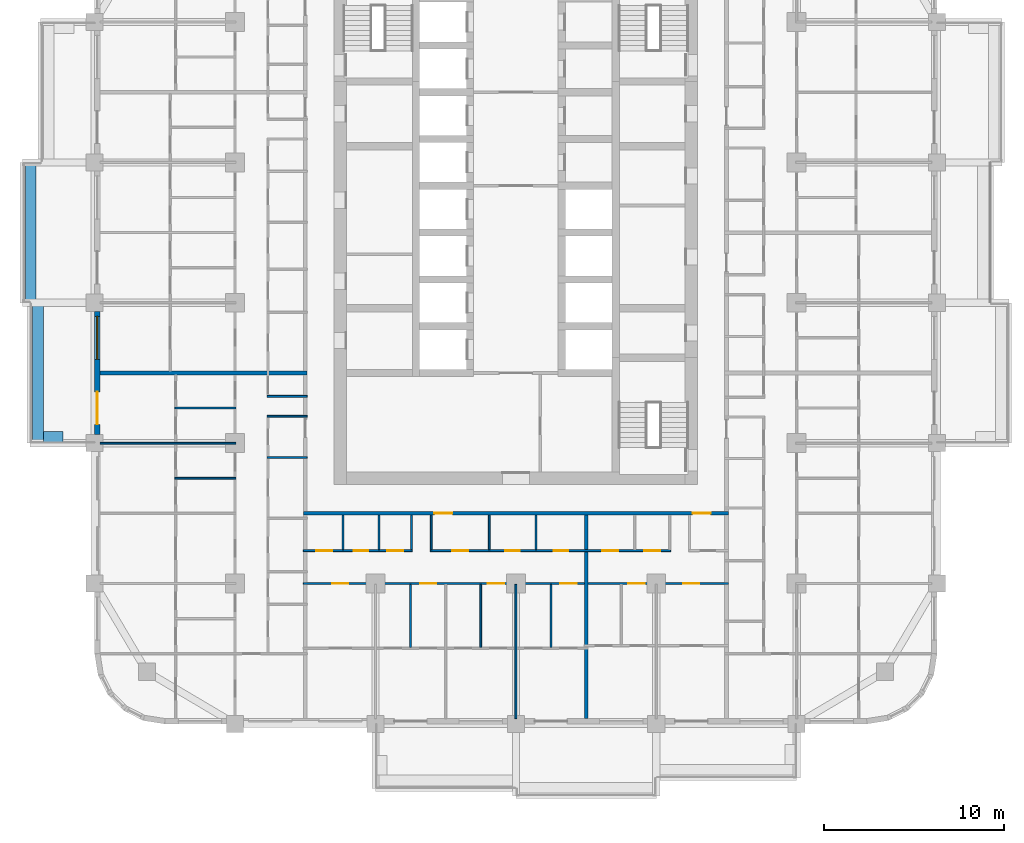
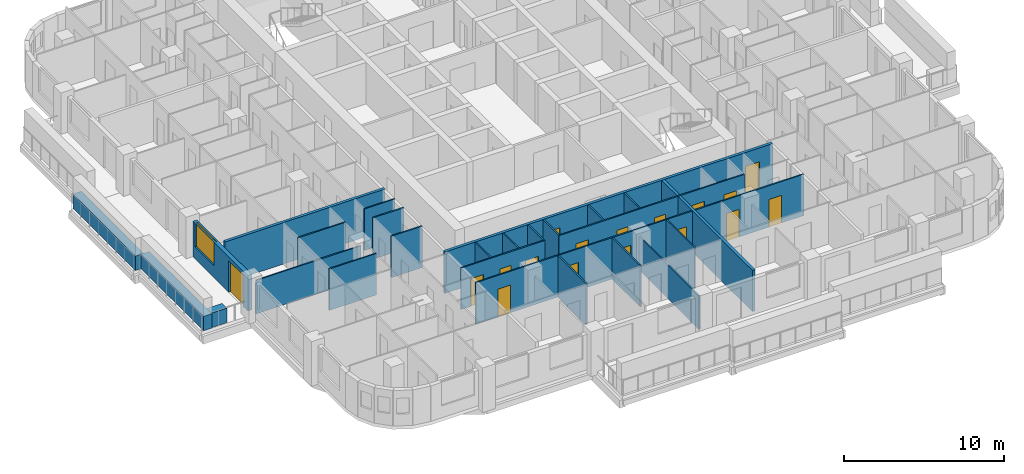
# One storey, part 4 of 17: 26 walls, 17 doors, 1 window, 18 openings.
"""IFC4 building model written with IfcOpenShell, lengths in metres."""

from ifc_helpers import new_model, si_unit, direction, frame, frame_2d, origin, place, context, subcontext, project, spatial, rectangle, extrude, material, layer, layer_set, type_object, element, fill, save


model = new_model("IFC4")

# Units and contexts
model_context = context("Model", 3, precision=1e-05, world=origin(), true_north=direction((0.0, 1.0)))
body_context = subcontext(model_context, "Body", "Model", "MODEL_VIEW")
ifc_project = project(units=[si_unit("LENGTHUNIT", "METRE"), si_unit("AREAUNIT", "SQUARE_METRE"), si_unit("VOLUMEUNIT", "CUBIC_METRE"), si_unit("PLANEANGLEUNIT", "RADIAN"), si_unit("MASSUNIT", "GRAM", prefix="KILO")], contexts=[model_context])

# Site, building, storey
site_placement = place(None, origin())
site = spatial("IfcSite", under=ifc_project, at=site_placement, CompositionType="ELEMENT")
building_placement = place(site_placement, origin())
building = spatial("IfcBuilding", under=site, at=building_placement, Name="Ludao Terraces", CompositionType="ELEMENT")
storey_placement = place(building_placement, frame((0.0, 0.0, 88.60009765625)))
storey = spatial("IfcBuildingStorey", under=building, at=storey_placement, Name="L24", CompositionType="ELEMENT", Elevation=88.60009765625)

# Walls
ifc_material_1 = material(Name="Concrete C40", Category="concrete")
ifc_layer_1 = layer(ifc_material_1, 0.60009765625)
ifc_layer_set_1 = layer_set([ifc_layer_1], Name="ENV Planter trough 600")
wall_type_1 = type_object("IfcWallType", Name="ENV Planter trough 600", PredefinedType="USERDEFINED", material=ifc_layer_set_1)
wall_1_placement = place(storey_placement, frame((58.449951171875, 57.199951171875, 0.0), z_axis=(0.0, 0.0, 1.0), x_axis=(0.0, 1.0, 0.0)))
element("IfcWall", 1, at=wall_1_placement, inside=storey, type_object=wall_type_1, Name="PL-L24-W2", ObjectType="PLANTER", PredefinedType="USERDEFINED", context=body_context, shape_type="SweptSolid", body=[
    extrude(rectangle(XDim=7.800048828125, YDim=0.60009765625, at=frame_2d((3.89990234375, 0.0))), origin(), (0.0, 0.0, 1.0), 1.099853515625),
])
wall_2_placement = place(storey_placement, frame((58.75, 57.550048828125, 0.0), z_axis=(0.0, 0.0, 1.0), x_axis=(1.0, 0.0, 0.0)))
element("IfcWall", 2, at=wall_2_placement, inside=storey, type_object=wall_type_1, Name="PL-L24-W2-SA", ObjectType="PLANTER", PredefinedType="USERDEFINED", context=body_context, shape_type="SweptSolid", body=[
    extrude(rectangle(XDim=1.10009765625, YDim=0.60009765625, at=frame_2d((0.550048828125, 0.0))), origin(), (0.0, 0.0, 1.0), 1.099853515625),
])
wall_3_placement = place(storey_placement, frame((58.050048828125, 65.0, 0.0), z_axis=(0.0, 0.0, 1.0), x_axis=(0.0, 1.0, 0.0)))
element("IfcWall", 3, at=wall_3_placement, inside=storey, type_object=wall_type_1, Name="PL-L24-W3", ObjectType="PLANTER", PredefinedType="USERDEFINED", context=body_context, shape_type="SweptSolid", body=[
    extrude(rectangle(XDim=7.800048828125, YDim=0.60009765625, at=frame_2d((3.89990234375, 0.0))), origin(), (0.0, 0.0, 1.0), 1.099853515625),
])

# Wall, openings, door, window
ifc_material_2 = material(Name="Granite cladding", Category="masonry")
ifc_layer_2 = layer(ifc_material_2, 0.0400390625, Category="stone")
ifc_material_3 = material(Name="Mineral wool")
ifc_layer_3 = layer(ifc_material_3, 0.06005859375)
ifc_layer_4 = layer(ifc_material_1, 0.199951171875, Category="concrete")
ifc_layer_set_2 = layer_set([ifc_layer_2, ifc_layer_3, ifc_layer_4], Name="ENV Stone-clad wall 300")
wall_type_2 = type_object("IfcWallType", Name="ENV Stone-clad wall 300", PredefinedType="SOLIDWALL", material=ifc_layer_set_2)
wall_4_placement = place(storey_placement, frame((61.75, 57.675048828125, 0.0), z_axis=(0.0, 0.0, 1.0), x_axis=(0.0, 1.0, 0.0)))
wall_4 = element("IfcWall", 4, at=wall_4_placement, inside=storey, type_object=wall_type_2, Name="EW-L24-W3", PredefinedType="SOLIDWALL", context=body_context, shape_type="SweptSolid", body=[
    extrude(rectangle(XDim=6.849853515625, YDim=0.300048828125, at=frame_2d((3.4248046875, 0.0))), origin(), (0.0, 0.0, 1.0), 2.699951171875),
])
opening_1_placement = place(wall_4_placement, frame((0.574951171875, 0.0, 0.0)))
opening_1 = element("IfcOpeningElement", 5, at=opening_1_placement, cuts=wall_4, Name="Opening BD", PredefinedType="OPENING", context=body_context, shape_type="SweptSolid", body=[
    extrude(rectangle(XDim=1.800048828125, YDim=2.39990234375, at=frame_2d((0.89990234375, 1.199951171875))), frame((0.0, 0.16015625, 0.0), z_axis=(0.0, -1.0, 0.0), x_axis=(1.0, 0.0, 0.0)), (0.0, 0.0, 1.0), 0.320068359375),
])
opening_2_placement = place(wall_4_placement, frame((4.175048828125, 0.0, 0.89990234375)))
opening_2 = element("IfcOpeningElement", 6, at=opening_2_placement, cuts=wall_4, Name="Opening W1", PredefinedType="OPENING", context=body_context, shape_type="SweptSolid", body=[
    extrude(rectangle(XDim=2.39990234375, YDim=1.800048828125, at=frame_2d((1.199951171875, 0.89990234375))), frame((0.0, 0.16015625, 0.0), z_axis=(0.0, -1.0, 0.0), x_axis=(1.0, 0.0, 0.0)), (0.0, 0.0, 1.0), 0.320068359375),
])
ifc_material_4 = material(Name="Aluminium glazed door", Category="aluminium")
ifc_layer_5 = layer(ifc_material_4, 0.06005859375)
ifc_layer_set_3 = layer_set([ifc_layer_5], Name="ENV Balcony door BD 1800x2400")
door_type_1 = type_object("IfcDoorType", Name="ENV Balcony door BD 1800x2400", OperationType="DOUBLE_DOOR_SINGLE_SWING", PredefinedType="DOOR", material=ifc_layer_set_3)
door_1_placement = place(opening_1_placement, origin())
door_1 = element("IfcDoor", 7, at=door_1_placement, inside=storey, type_object=door_type_1, Name="BD-L24-W3-1", OperationType="DOUBLE_DOOR_SINGLE_SWING", OverallHeight=2.39990234375, OverallWidth=1.800048828125, PredefinedType="DOOR", context=body_context, shape_type="SweptSolid", body=[
    extrude(rectangle(XDim=1.800048828125, YDim=2.39990234375, at=frame_2d((0.89990234375, 1.199951171875))), frame((0.0, 0.02490234375, 0.0), z_axis=(0.0, -1.0, 0.0), x_axis=(1.0, 0.0, 0.0)), (0.0, 0.0, 1.0), 0.050048828125),
])
fill(opening_1, door_1)
ifc_material_5 = material(Name="Clear glass in aluminium frame", Category="aluminium")
ifc_layer_6 = layer(ifc_material_5, 0.06005859375)
ifc_layer_set_4 = layer_set([ifc_layer_6], Name="ENV Window W1 2400x1800")
window_type = type_object("IfcWindowType", Name="ENV Window W1 2400x1800", PartitioningType="DOUBLE_PANEL_VERTICAL", PredefinedType="WINDOW", material=ifc_layer_set_4)
window_placement = place(opening_2_placement, origin())
window = element("IfcWindow", 8, at=window_placement, inside=storey, type_object=window_type, Name="W-L24-W3-2", OverallHeight=1.800048828125, OverallWidth=2.39990234375, PartitioningType="DOUBLE_PANEL_VERTICAL", PredefinedType="WINDOW", context=body_context, shape_type="SweptSolid", body=[
    extrude(rectangle(XDim=2.39990234375, YDim=1.800048828125, at=frame_2d((1.199951171875, 0.89990234375))), frame((0.0, 0.030029296875, 0.0), z_axis=(0.0, -1.0, 0.0), x_axis=(1.0, 0.0, 0.0)), (0.0, 0.0, 1.0), 0.06005859375),
])
fill(opening_2, window)

# Wall, openings, doors
ifc_material_6 = material(Name="Autoclaved aerated concrete block B06 A3.5", Category="concrete")
ifc_layer_7 = layer(ifc_material_6, 0.199951171875)
ifc_layer_set_5 = layer_set([ifc_layer_7], Name="INT Entrance wall 200")
wall_type_3 = type_object("IfcWallType", Name="INT Entrance wall 200", PredefinedType="PARTITIONING", material=ifc_layer_set_5)
wall_5_placement = place(storey_placement, frame((73.2001953125, 53.300048828125, 0.0), z_axis=(0.0, 0.0, 1.0), x_axis=(1.0, 0.0, 0.0)))
wall_5 = element("IfcWall", 9, at=wall_5_placement, inside=storey, type_object=wall_type_3, Name="PW-L24-PW017", PredefinedType="PARTITIONING", context=body_context, shape_type="SweptSolid", body=[
    extrude(rectangle(XDim=23.599853515625, YDim=0.199951171875, at=frame_2d((11.7998046875, 0.0))), origin(), (0.0, 0.0, 1.0), 3.14990234375),
])
opening_3_placement = place(wall_5_placement, frame((7.27490234375, 0.0, 0.0)))
opening_3 = element("IfcOpeningElement", 10, at=opening_3_placement, cuts=wall_5, Name="Opening R07-047", PredefinedType="OPENING", context=body_context, shape_type="SweptSolid", body=[
    extrude(rectangle(XDim=1.0, YDim=2.10009765625, at=frame_2d((0.5, 1.050048828125))), frame((0.0, 0.10986328125, 0.0), z_axis=(0.0, -1.0, 0.0), x_axis=(1.0, 0.0, 0.0)), (0.0, 0.0, 1.0), 0.219970703125),
])
opening_4_placement = place(wall_5_placement, frame((21.625, 0.0, 0.0)))
opening_4 = element("IfcOpeningElement", 11, at=opening_4_placement, cuts=wall_5, Name="Opening R07-048", PredefinedType="OPENING", context=body_context, shape_type="SweptSolid", body=[
    extrude(rectangle(XDim=1.0, YDim=2.10009765625, at=frame_2d((0.5, 1.050048828125))), frame((0.0, 0.10986328125, 0.0), z_axis=(0.0, -1.0, 0.0), x_axis=(1.0, 0.0, 0.0)), (0.0, 0.0, 1.0), 0.219970703125),
])
ifc_material_7 = material(Name="Steel Q235", Category="steel")
door_type_2 = type_object("IfcDoorType", Name="INT Flat entrance door 1000", OperationType="SINGLE_SWING_LEFT", PredefinedType="DOOR", material=ifc_material_7)
door_2_placement = place(opening_3_placement, origin())
door_2 = element("IfcDoor", 12, at=door_2_placement, inside=storey, type_object=door_type_2, Name="DOOR 047", OperationType="SINGLE_SWING_LEFT", OverallHeight=2.10009765625, OverallWidth=1.0, PredefinedType="DOOR", context=body_context, shape_type="SweptSolid", body=[
    extrude(rectangle(XDim=1.0, YDim=2.10009765625, at=frame_2d((0.5, 1.050048828125))), frame((0.0, 0.02490234375, 0.0), z_axis=(0.0, -1.0, 0.0), x_axis=(1.0, 0.0, 0.0)), (0.0, 0.0, 1.0), 0.050048828125),
])
fill(opening_3, door_2)
door_3_placement = place(opening_4_placement, origin())
door_3 = element("IfcDoor", 13, at=door_3_placement, inside=storey, type_object=door_type_2, Name="DOOR 048", OperationType="SINGLE_SWING_LEFT", OverallHeight=2.10009765625, OverallWidth=1.0, PredefinedType="DOOR", context=body_context, shape_type="SweptSolid", body=[
    extrude(rectangle(XDim=1.0, YDim=2.10009765625, at=frame_2d((0.5, 1.050048828125))), frame((0.0, 0.02490234375, 0.0), z_axis=(0.0, -1.0, 0.0), x_axis=(1.0, 0.0, 0.0)), (0.0, 0.0, 1.0), 0.050048828125),
])
fill(opening_4, door_3)

ifc_material_8 = material(Name="Gypsum plasterboard", Category="gypsum")
ifc_layer_8 = layer(ifc_material_8, 0.012451171875, Category="gypsum")
ifc_layer_9 = layer(ifc_material_3, 0.06005859375, Name="insulation")
ifc_layer_10 = layer(ifc_material_7, 0.014892578125, Name="stud")
ifc_layer_11 = layer(ifc_material_8, 0.012451171875, Category="gypsum")
ifc_layer_set_6 = layer_set([ifc_layer_8, ifc_layer_9, ifc_layer_10, ifc_layer_11], Name="INT Partition 100")
wall_type_4 = type_object("IfcWallType", Name="INT Partition 100", PredefinedType="PARTITIONING", material=ifc_layer_set_6)
wall_6_placement = place(storey_placement, frame((73.2001953125, 49.39990234375, 0.0), z_axis=(0.0, 0.0, 1.0), x_axis=(1.0, 0.0, 0.0)))
wall_6 = element("IfcWall", 14, at=wall_6_placement, inside=storey, type_object=wall_type_4, Name="PW-L24-PW008", PredefinedType="PARTITIONING", context=body_context, shape_type="SweptSolid", body=[
    extrude(rectangle(XDim=23.599853515625, YDim=0.10009765625, at=frame_2d((11.7998046875, 0.0))), origin(), (0.0, 0.0, 1.0), 3.14990234375),
])
opening_5_placement = place(wall_6_placement, frame((1.599853515625, 0.0, 0.0)))
opening_5 = element("IfcOpeningElement", 15, at=opening_5_placement, cuts=wall_6, Name="Opening R07-026", PredefinedType="OPENING", context=body_context, shape_type="SweptSolid", body=[
    extrude(rectangle(XDim=0.89990234375, YDim=2.10009765625, at=frame_2d((0.449951171875, 1.050048828125))), frame((0.0, 0.06005859375, 0.0), z_axis=(0.0, -1.0, 0.0), x_axis=(1.0, 0.0, 0.0)), (0.0, 0.0, 1.0), 0.1201171875),
])
opening_6_placement = place(wall_6_placement, frame((6.474853515625, 0.0, 0.0)))
opening_6 = element("IfcOpeningElement", 16, at=opening_6_placement, cuts=wall_6, Name="Opening R07-027", PredefinedType="OPENING", context=body_context, shape_type="SweptSolid", body=[
    extrude(rectangle(XDim=0.89990234375, YDim=2.10009765625, at=frame_2d((0.449951171875, 1.050048828125))), frame((0.0, 0.06005859375, 0.0), z_axis=(0.0, -1.0, 0.0), x_axis=(1.0, 0.0, 0.0)), (0.0, 0.0, 1.0), 0.1201171875),
])
opening_7_placement = place(wall_6_placement, frame((10.25, 0.0, 0.0)))
opening_7 = element("IfcOpeningElement", 17, at=opening_7_placement, cuts=wall_6, Name="Opening R07-028", PredefinedType="OPENING", context=body_context, shape_type="SweptSolid", body=[
    extrude(rectangle(XDim=0.89990234375, YDim=2.10009765625, at=frame_2d((0.449951171875, 1.050048828125))), frame((0.0, 0.06005859375, 0.0), z_axis=(0.0, -1.0, 0.0), x_axis=(1.0, 0.0, 0.0)), (0.0, 0.0, 1.0), 0.1201171875),
])
opening_8_placement = place(wall_6_placement, frame((14.27490234375, 0.0, 0.0)))
opening_8 = element("IfcOpeningElement", 18, at=opening_8_placement, cuts=wall_6, Name="Opening R07-029", PredefinedType="OPENING", context=body_context, shape_type="SweptSolid", body=[
    extrude(rectangle(XDim=0.89990234375, YDim=2.10009765625, at=frame_2d((0.449951171875, 1.050048828125))), frame((0.0, 0.06005859375, 0.0), z_axis=(0.0, -1.0, 0.0), x_axis=(1.0, 0.0, 0.0)), (0.0, 0.0, 1.0), 0.1201171875),
])
opening_9_placement = place(wall_6_placement, frame((18.0498046875, 0.0, 0.0)))
opening_9 = element("IfcOpeningElement", 19, at=opening_9_placement, cuts=wall_6, Name="Opening R07-030", PredefinedType="OPENING", context=body_context, shape_type="SweptSolid", body=[
    extrude(rectangle(XDim=0.89990234375, YDim=2.10009765625, at=frame_2d((0.449951171875, 1.050048828125))), frame((0.0, 0.06005859375, 0.0), z_axis=(0.0, -1.0, 0.0), x_axis=(1.0, 0.0, 0.0)), (0.0, 0.0, 1.0), 0.1201171875),
])
opening_10_placement = place(wall_6_placement, frame((21.099853515625, 0.0, 0.0)))
opening_10 = element("IfcOpeningElement", 20, at=opening_10_placement, cuts=wall_6, Name="Opening R07-031", PredefinedType="OPENING", context=body_context, shape_type="SweptSolid", body=[
    extrude(rectangle(XDim=0.89990234375, YDim=2.10009765625, at=frame_2d((0.449951171875, 1.050048828125))), frame((0.0, 0.06005859375, 0.0), z_axis=(0.0, -1.0, 0.0), x_axis=(1.0, 0.0, 0.0)), (0.0, 0.0, 1.0), 0.1201171875),
])
ifc_material_9 = material(Name="Timber door leaf", Category="wood")
door_type_3 = type_object("IfcDoorType", Name="INT Room door 900", OperationType="SINGLE_SWING_LEFT", PredefinedType="DOOR", material=ifc_material_9)
door_4_placement = place(opening_5_placement, origin())
door_4 = element("IfcDoor", 21, at=door_4_placement, inside=storey, type_object=door_type_3, Name="DOOR 026", OperationType="SINGLE_SWING_LEFT", OverallHeight=2.10009765625, OverallWidth=0.89990234375, PredefinedType="DOOR", context=body_context, shape_type="SweptSolid", body=[
    extrude(rectangle(XDim=0.89990234375, YDim=2.10009765625, at=frame_2d((0.449951171875, 1.050048828125))), frame((0.0, 0.02490234375, 0.0), z_axis=(0.0, -1.0, 0.0), x_axis=(1.0, 0.0, 0.0)), (0.0, 0.0, 1.0), 0.050048828125),
])
fill(opening_5, door_4)
door_5_placement = place(opening_6_placement, origin())
door_5 = element("IfcDoor", 22, at=door_5_placement, inside=storey, type_object=door_type_3, Name="DOOR 027", OperationType="SINGLE_SWING_RIGHT", OverallHeight=2.10009765625, OverallWidth=0.89990234375, PredefinedType="DOOR", context=body_context, shape_type="SweptSolid", body=[
    extrude(rectangle(XDim=0.89990234375, YDim=2.10009765625, at=frame_2d((0.449951171875, 1.050048828125))), frame((0.0, 0.02490234375, 0.0), z_axis=(0.0, -1.0, 0.0), x_axis=(1.0, 0.0, 0.0)), (0.0, 0.0, 1.0), 0.050048828125),
])
fill(opening_6, door_5)
door_6_placement = place(opening_7_placement, origin())
door_6 = element("IfcDoor", 23, at=door_6_placement, inside=storey, type_object=door_type_3, Name="DOOR 028", OperationType="SINGLE_SWING_RIGHT", OverallHeight=2.10009765625, OverallWidth=0.89990234375, PredefinedType="DOOR", context=body_context, shape_type="SweptSolid", body=[
    extrude(rectangle(XDim=0.89990234375, YDim=2.10009765625, at=frame_2d((0.449951171875, 1.050048828125))), frame((0.0, 0.02490234375, 0.0), z_axis=(0.0, -1.0, 0.0), x_axis=(1.0, 0.0, 0.0)), (0.0, 0.0, 1.0), 0.050048828125),
])
fill(opening_7, door_6)
door_7_placement = place(opening_8_placement, origin())
door_7 = element("IfcDoor", 24, at=door_7_placement, inside=storey, type_object=door_type_3, Name="DOOR 029", OperationType="SINGLE_SWING_LEFT", OverallHeight=2.10009765625, OverallWidth=0.89990234375, PredefinedType="DOOR", context=body_context, shape_type="SweptSolid", body=[
    extrude(rectangle(XDim=0.89990234375, YDim=2.10009765625, at=frame_2d((0.449951171875, 1.050048828125))), frame((0.0, 0.02490234375, 0.0), z_axis=(0.0, -1.0, 0.0), x_axis=(1.0, 0.0, 0.0)), (0.0, 0.0, 1.0), 0.050048828125),
])
fill(opening_8, door_7)
door_8_placement = place(opening_9_placement, origin())
door_8 = element("IfcDoor", 25, at=door_8_placement, inside=storey, type_object=door_type_3, Name="DOOR 030", OperationType="SINGLE_SWING_RIGHT", OverallHeight=2.10009765625, OverallWidth=0.89990234375, PredefinedType="DOOR", context=body_context, shape_type="SweptSolid", body=[
    extrude(rectangle(XDim=0.89990234375, YDim=2.10009765625, at=frame_2d((0.449951171875, 1.050048828125))), frame((0.0, 0.02490234375, 0.0), z_axis=(0.0, -1.0, 0.0), x_axis=(1.0, 0.0, 0.0)), (0.0, 0.0, 1.0), 0.050048828125),
])
fill(opening_9, door_8)
door_9_placement = place(opening_10_placement, origin())
door_9 = element("IfcDoor", 26, at=door_9_placement, inside=storey, type_object=door_type_3, Name="DOOR 031", OperationType="SINGLE_SWING_RIGHT", OverallHeight=2.10009765625, OverallWidth=0.89990234375, PredefinedType="DOOR", context=body_context, shape_type="SweptSolid", body=[
    extrude(rectangle(XDim=0.89990234375, YDim=2.10009765625, at=frame_2d((0.449951171875, 1.050048828125))), frame((0.0, 0.02490234375, 0.0), z_axis=(0.0, -1.0, 0.0), x_axis=(1.0, 0.0, 0.0)), (0.0, 0.0, 1.0), 0.050048828125),
])
fill(opening_10, door_9)

wall_7_placement = place(storey_placement, frame((73.2001953125, 51.22998046875, 0.0), z_axis=(0.0, 0.0, 1.0), x_axis=(1.0, 0.0, 0.0)))
wall_7 = element("IfcWall", 27, at=wall_7_placement, inside=storey, type_object=wall_type_4, Name="PW-L24-PW012", PredefinedType="PARTITIONING", context=body_context, shape_type="SweptSolid", body=[
    extrude(rectangle(XDim=6.0498046875, YDim=0.10009765625, at=frame_2d((3.02490234375, 0.0))), origin(), (0.0, 0.0, 1.0), 3.14990234375),
])
opening_11_placement = place(wall_7_placement, frame((0.699951171875, 0.0, 0.0)))
opening_11 = element("IfcOpeningElement", 28, at=opening_11_placement, cuts=wall_7, Name="Opening R07-032", PredefinedType="OPENING", context=body_context, shape_type="SweptSolid", body=[
    extrude(rectangle(XDim=0.89990234375, YDim=2.10009765625, at=frame_2d((0.449951171875, 1.050048828125))), frame((0.0, 0.06005859375, 0.0), z_axis=(0.0, -1.0, 0.0), x_axis=(1.0, 0.0, 0.0)), (0.0, 0.0, 1.0), 0.1201171875),
])
opening_12_placement = place(wall_7_placement, frame((2.7998046875, 0.0, 0.0)))
opening_12 = element("IfcOpeningElement", 29, at=opening_12_placement, cuts=wall_7, Name="Opening R07-033", PredefinedType="OPENING", context=body_context, shape_type="SweptSolid", body=[
    extrude(rectangle(XDim=0.800048828125, YDim=2.10009765625, at=frame_2d((0.39990234375, 1.050048828125))), frame((0.0, 0.06005859375, 0.0), z_axis=(0.0, -1.0, 0.0), x_axis=(1.0, 0.0, 0.0)), (0.0, 0.0, 1.0), 0.1201171875),
])
opening_13_placement = place(wall_7_placement, frame((4.64990234375, 0.0, 0.0)))
opening_13 = element("IfcOpeningElement", 30, at=opening_13_placement, cuts=wall_7, Name="Opening R07-034", PredefinedType="OPENING", context=body_context, shape_type="SweptSolid", body=[
    extrude(rectangle(XDim=0.89990234375, YDim=2.10009765625, at=frame_2d((0.449951171875, 1.050048828125))), frame((0.0, 0.06005859375, 0.0), z_axis=(0.0, -1.0, 0.0), x_axis=(1.0, 0.0, 0.0)), (0.0, 0.0, 1.0), 0.1201171875),
])
door_type_4 = type_object("IfcDoorType", Name="INT Bathroom door 900", OperationType="SINGLE_SWING_LEFT", PredefinedType="DOOR", material=ifc_material_9)
door_10_placement = place(opening_11_placement, origin())
door_10 = element("IfcDoor", 31, at=door_10_placement, inside=storey, type_object=door_type_4, Name="DOOR 032", OperationType="SINGLE_SWING_LEFT", OverallHeight=2.10009765625, OverallWidth=0.89990234375, PredefinedType="DOOR", context=body_context, shape_type="SweptSolid", body=[
    extrude(rectangle(XDim=0.89990234375, YDim=2.10009765625, at=frame_2d((0.449951171875, 1.050048828125))), frame((0.0, 0.02490234375, 0.0), z_axis=(0.0, -1.0, 0.0), x_axis=(1.0, 0.0, 0.0)), (0.0, 0.0, 1.0), 0.050048828125),
])
fill(opening_11, door_10)
door_11_placement = place(opening_13_placement, origin())
door_11 = element("IfcDoor", 32, at=door_11_placement, inside=storey, type_object=door_type_4, Name="DOOR 034", OperationType="SINGLE_SWING_LEFT", OverallHeight=2.10009765625, OverallWidth=0.89990234375, PredefinedType="DOOR", context=body_context, shape_type="SweptSolid", body=[
    extrude(rectangle(XDim=0.89990234375, YDim=2.10009765625, at=frame_2d((0.449951171875, 1.050048828125))), frame((0.0, 0.02490234375, 0.0), z_axis=(0.0, -1.0, 0.0), x_axis=(1.0, 0.0, 0.0)), (0.0, 0.0, 1.0), 0.050048828125),
])
fill(opening_13, door_11)
door_type_5 = type_object("IfcDoorType", Name="INT Store door 800", OperationType="SINGLE_SWING_LEFT", PredefinedType="DOOR", material=ifc_material_9)
door_12_placement = place(opening_12_placement, origin())
door_12 = element("IfcDoor", 33, at=door_12_placement, inside=storey, type_object=door_type_5, Name="DOOR 033", OperationType="SINGLE_SWING_LEFT", OverallHeight=2.10009765625, OverallWidth=0.800048828125, PredefinedType="DOOR", context=body_context, shape_type="SweptSolid", body=[
    extrude(rectangle(XDim=0.800048828125, YDim=2.10009765625, at=frame_2d((0.39990234375, 1.050048828125))), frame((0.0, 0.02490234375, 0.0), z_axis=(0.0, -1.0, 0.0), x_axis=(1.0, 0.0, 0.0)), (0.0, 0.0, 1.0), 0.050048828125),
])
fill(opening_12, door_12)

wall_8_placement = place(storey_placement, frame((80.25, 51.22998046875, 0.0), z_axis=(0.0, 0.0, 1.0), x_axis=(1.0, 0.0, 0.0)))
wall_8 = element("IfcWall", 34, at=wall_8_placement, inside=storey, type_object=wall_type_4, Name="PW-L24-PW013", PredefinedType="PARTITIONING", context=body_context, shape_type="SweptSolid", body=[
    extrude(rectangle(XDim=13.35009765625, YDim=0.10009765625, at=frame_2d((6.675048828125, 0.0))), origin(), (0.0, 0.0, 1.0), 3.14990234375),
])
opening_14_placement = place(wall_8_placement, frame((1.210205078125, 0.0, 0.0)))
opening_14 = element("IfcOpeningElement", 35, at=opening_14_placement, cuts=wall_8, Name="Opening R07-035", PredefinedType="OPENING", context=body_context, shape_type="SweptSolid", body=[
    extrude(rectangle(XDim=0.89990234375, YDim=2.10009765625, at=frame_2d((0.449951171875, 1.050048828125))), frame((0.0, 0.06005859375, 0.0), z_axis=(0.0, -1.0, 0.0), x_axis=(1.0, 0.0, 0.0)), (0.0, 0.0, 1.0), 0.1201171875),
])
opening_15_placement = place(wall_8_placement, frame((4.170166015625, 0.0, 0.0)))
opening_15 = element("IfcOpeningElement", 36, at=opening_15_placement, cuts=wall_8, Name="Opening R07-036", PredefinedType="OPENING", context=body_context, shape_type="SweptSolid", body=[
    extrude(rectangle(XDim=0.800048828125, YDim=2.10009765625, at=frame_2d((0.39990234375, 1.050048828125))), frame((0.0, 0.06005859375, 0.0), z_axis=(0.0, -1.0, 0.0), x_axis=(1.0, 0.0, 0.0)), (0.0, 0.0, 1.0), 0.1201171875),
])
opening_16_placement = place(wall_8_placement, frame((6.860107421875, 0.0, 0.0)))
opening_16 = element("IfcOpeningElement", 37, at=opening_16_placement, cuts=wall_8, Name="Opening R07-037", PredefinedType="OPENING", context=body_context, shape_type="SweptSolid", body=[
    extrude(rectangle(XDim=0.800048828125, YDim=2.10009765625, at=frame_2d((0.39990234375, 1.050048828125))), frame((0.0, 0.06005859375, 0.0), z_axis=(0.0, -1.0, 0.0), x_axis=(1.0, 0.0, 0.0)), (0.0, 0.0, 1.0), 0.1201171875),
])
opening_17_placement = place(wall_8_placement, frame((9.550048828125, 0.0, 0.0)))
opening_17 = element("IfcOpeningElement", 38, at=opening_17_placement, cuts=wall_8, Name="Opening R07-038", PredefinedType="OPENING", context=body_context, shape_type="SweptSolid", body=[
    extrude(rectangle(XDim=0.89990234375, YDim=2.10009765625, at=frame_2d((0.449951171875, 1.050048828125))), frame((0.0, 0.06005859375, 0.0), z_axis=(0.0, -1.0, 0.0), x_axis=(1.0, 0.0, 0.0)), (0.0, 0.0, 1.0), 0.1201171875),
])
opening_18_placement = place(wall_8_placement, frame((11.875, 0.0, 0.0)))
opening_18 = element("IfcOpeningElement", 39, at=opening_18_placement, cuts=wall_8, Name="Opening R07-039", PredefinedType="OPENING", context=body_context, shape_type="SweptSolid", body=[
    extrude(rectangle(XDim=0.89990234375, YDim=2.10009765625, at=frame_2d((0.449951171875, 1.050048828125))), frame((0.0, 0.06005859375, 0.0), z_axis=(0.0, -1.0, 0.0), x_axis=(1.0, 0.0, 0.0)), (0.0, 0.0, 1.0), 0.1201171875),
])
door_13_placement = place(opening_18_placement, origin())
door_13 = element("IfcDoor", 40, at=door_13_placement, inside=storey, type_object=door_type_4, Name="DOOR 039", OperationType="SINGLE_SWING_LEFT", OverallHeight=2.10009765625, OverallWidth=0.89990234375, PredefinedType="DOOR", context=body_context, shape_type="SweptSolid", body=[
    extrude(rectangle(XDim=0.89990234375, YDim=2.10009765625, at=frame_2d((0.449951171875, 1.050048828125))), frame((0.0, 0.02490234375, 0.0), z_axis=(0.0, -1.0, 0.0), x_axis=(1.0, 0.0, 0.0)), (0.0, 0.0, 1.0), 0.050048828125),
])
fill(opening_18, door_13)
door_14_placement = place(opening_14_placement, origin())
door_14 = element("IfcDoor", 41, at=door_14_placement, inside=storey, type_object=door_type_3, Name="DOOR 035", OperationType="SINGLE_SWING_LEFT", OverallHeight=2.10009765625, OverallWidth=0.89990234375, PredefinedType="DOOR", context=body_context, shape_type="SweptSolid", body=[
    extrude(rectangle(XDim=0.89990234375, YDim=2.10009765625, at=frame_2d((0.449951171875, 1.050048828125))), frame((0.0, 0.02490234375, 0.0), z_axis=(0.0, -1.0, 0.0), x_axis=(1.0, 0.0, 0.0)), (0.0, 0.0, 1.0), 0.050048828125),
])
fill(opening_14, door_14)
door_15_placement = place(opening_17_placement, origin())
door_15 = element("IfcDoor", 42, at=door_15_placement, inside=storey, type_object=door_type_3, Name="DOOR 038", OperationType="SINGLE_SWING_LEFT", OverallHeight=2.10009765625, OverallWidth=0.89990234375, PredefinedType="DOOR", context=body_context, shape_type="SweptSolid", body=[
    extrude(rectangle(XDim=0.89990234375, YDim=2.10009765625, at=frame_2d((0.449951171875, 1.050048828125))), frame((0.0, 0.02490234375, 0.0), z_axis=(0.0, -1.0, 0.0), x_axis=(1.0, 0.0, 0.0)), (0.0, 0.0, 1.0), 0.050048828125),
])
fill(opening_17, door_15)
door_16_placement = place(opening_15_placement, origin())
door_16 = element("IfcDoor", 43, at=door_16_placement, inside=storey, type_object=door_type_5, Name="DOOR 036", OperationType="SINGLE_SWING_RIGHT", OverallHeight=2.10009765625, OverallWidth=0.800048828125, PredefinedType="DOOR", context=body_context, shape_type="SweptSolid", body=[
    extrude(rectangle(XDim=0.800048828125, YDim=2.10009765625, at=frame_2d((0.39990234375, 1.050048828125))), frame((0.0, 0.02490234375, 0.0), z_axis=(0.0, -1.0, 0.0), x_axis=(1.0, 0.0, 0.0)), (0.0, 0.0, 1.0), 0.050048828125),
])
fill(opening_15, door_16)
door_17_placement = place(opening_16_placement, origin())
door_17 = element("IfcDoor", 44, at=door_17_placement, inside=storey, type_object=door_type_5, Name="DOOR 037", OperationType="SINGLE_SWING_LEFT", OverallHeight=2.10009765625, OverallWidth=0.800048828125, PredefinedType="DOOR", context=body_context, shape_type="SweptSolid", body=[
    extrude(rectangle(XDim=0.800048828125, YDim=2.10009765625, at=frame_2d((0.39990234375, 1.050048828125))), frame((0.0, 0.02490234375, 0.0), z_axis=(0.0, -1.0, 0.0), x_axis=(1.0, 0.0, 0.0)), (0.0, 0.0, 1.0), 0.050048828125),
])
fill(opening_16, door_17)

# Walls
wall_9_placement = place(storey_placement, frame((66.050048828125, 55.25, 0.0), z_axis=(0.0, 0.0, 1.0), x_axis=(1.0, 0.0, 0.0)))
element("IfcWall", 45, at=wall_9_placement, inside=storey, type_object=wall_type_4, Name="PW-L24-PW020", PredefinedType="PARTITIONING", context=body_context, shape_type="SweptSolid", body=[
    extrude(rectangle(XDim=3.400146484375, YDim=0.10009765625, at=frame_2d((1.7001953125, 0.0))), origin(), (0.0, 0.0, 1.0), 3.14990234375),
])
wall_10_placement = place(storey_placement, frame((71.18017578125, 56.39990234375, 0.0), z_axis=(0.0, 0.0, 1.0), x_axis=(1.0, 0.0, 0.0)))
element("IfcWall", 46, at=wall_10_placement, inside=storey, type_object=wall_type_4, Name="PW-L24-PW023", PredefinedType="PARTITIONING", context=body_context, shape_type="SweptSolid", body=[
    extrude(rectangle(XDim=2.219970703125, YDim=0.10009765625, at=frame_2d((1.10986328125, 0.0))), origin(), (0.0, 0.0, 1.0), 3.14990234375),
])
wall_11_placement = place(storey_placement, frame((61.900146484375, 57.199951171875, 0.0), z_axis=(0.0, 0.0, 1.0), x_axis=(1.0, 0.0, 0.0)))
element("IfcWall", 47, at=wall_11_placement, inside=storey, type_object=wall_type_4, Name="PW-L24-PW024", PredefinedType="PARTITIONING", context=body_context, shape_type="SweptSolid", body=[
    extrude(rectangle(XDim=7.550048828125, YDim=0.10009765625, at=frame_2d((3.77490234375, 0.0))), origin(), (0.0, 0.0, 1.0), 2.5498046875),
])
wall_12_placement = place(storey_placement, frame((71.18017578125, 58.699951171875, 0.0), z_axis=(0.0, 0.0, 1.0), x_axis=(1.0, 0.0, 0.0)))
element("IfcWall", 48, at=wall_12_placement, inside=storey, type_object=wall_type_4, Name="PW-L24-PW027", PredefinedType="PARTITIONING", context=body_context, shape_type="SweptSolid", body=[
    extrude(rectangle(XDim=2.219970703125, YDim=0.10009765625, at=frame_2d((1.10986328125, 0.0))), origin(), (0.0, 0.0, 1.0), 3.14990234375),
])
wall_13_placement = place(storey_placement, frame((66.050048828125, 59.14990234375, 0.0), z_axis=(0.0, 0.0, 1.0), x_axis=(1.0, 0.0, 0.0)))
element("IfcWall", 49, at=wall_13_placement, inside=storey, type_object=wall_type_4, Name="PW-L24-PW028", PredefinedType="PARTITIONING", context=body_context, shape_type="SweptSolid", body=[
    extrude(rectangle(XDim=3.400146484375, YDim=0.10009765625, at=frame_2d((1.7001953125, 0.0))), origin(), (0.0, 0.0, 1.0), 3.14990234375),
])
wall_14_placement = place(storey_placement, frame((71.18017578125, 59.800048828125, 0.0), z_axis=(0.0, 0.0, 1.0), x_axis=(1.0, 0.0, 0.0)))
element("IfcWall", 50, at=wall_14_placement, inside=storey, type_object=wall_type_4, Name="PW-L24-PW031", PredefinedType="PARTITIONING", context=body_context, shape_type="SweptSolid", body=[
    extrude(rectangle(XDim=2.219970703125, YDim=0.10009765625, at=frame_2d((1.10986328125, 0.0))), origin(), (0.0, 0.0, 1.0), 3.14990234375),
])
for number, where, z_axis, x_axis, name in (
    (51, (75.39990234375, 51.280029296875, 0.0), (0.0, 0.0, 1.0), (0.0, 1.0, 0.0), "PW-L24-PW090"),
    (52, (77.39990234375, 51.280029296875, 0.0), (0.0, 0.0, 1.0), (0.0, 1.0, 0.0), "PW-L24-PW093"),
):
    element("IfcWall", number, at=place(storey_placement, frame(where, z_axis=z_axis, x_axis=x_axis)), inside=storey, type_object=wall_type_4, Name=name, PredefinedType="PARTITIONING", context=body_context, shape_type="SweptSolid", body=[
        extrude(rectangle(XDim=1.920166015625, YDim=0.10009765625, at=frame_2d((0.9599609375, 0.0))), origin(), (0.0, 0.0, 1.0), 3.14990234375),
    ])
wall_15_placement = place(storey_placement, frame((79.14990234375, 45.85009765625, 0.0), z_axis=(0.0, 0.0, 1.0), x_axis=(0.0, 1.0, 0.0)))
element("IfcWall", 53, at=wall_15_placement, inside=storey, type_object=wall_type_4, Name="PW-L24-PW094", PredefinedType="PARTITIONING", context=body_context, shape_type="SweptSolid", body=[
    extrude(rectangle(XDim=3.5, YDim=0.10009765625, at=frame_2d((1.75, 0.0))), origin(), (0.0, 0.0, 1.0), 3.14990234375),
])
for number, where, z_axis, x_axis, name in (
    (54, (79.199951171875, 51.280029296875, 0.0), (0.0, 0.0, 1.0), (0.0, 1.0, 0.0), "PW-L24-PW095"),
    (55, (80.300048828125, 51.280029296875, 0.0), (0.0, 0.0, 1.0), (0.0, 1.0, 0.0), "PW-L24-PW096"),
):
    element("IfcWall", number, at=place(storey_placement, frame(where, z_axis=z_axis, x_axis=x_axis)), inside=storey, type_object=wall_type_4, Name=name, PredefinedType="PARTITIONING", context=body_context, shape_type="SweptSolid", body=[
        extrude(rectangle(XDim=1.920166015625, YDim=0.10009765625, at=frame_2d((0.9599609375, 0.0))), origin(), (0.0, 0.0, 1.0), 3.14990234375),
    ])
wall_16_placement = place(storey_placement, frame((83.050048828125, 45.85009765625, 0.0), z_axis=(0.0, 0.0, 1.0), x_axis=(0.0, 1.0, 0.0)))
element("IfcWall", 56, at=wall_16_placement, inside=storey, type_object=wall_type_4, Name="PW-L24-PW099", PredefinedType="PARTITIONING", context=body_context, shape_type="SweptSolid", body=[
    extrude(rectangle(XDim=3.5, YDim=0.10009765625, at=frame_2d((1.75, 0.0))), origin(), (0.0, 0.0, 1.0), 3.14990234375),
])
wall_17_placement = place(storey_placement, frame((83.52001953125, 51.280029296875, 0.0), z_axis=(0.0, 0.0, 1.0), x_axis=(0.0, 1.0, 0.0)))
element("IfcWall", 57, at=wall_17_placement, inside=storey, type_object=wall_type_4, Name="PW-L24-PW100", PredefinedType="PARTITIONING", context=body_context, shape_type="SweptSolid", body=[
    extrude(rectangle(XDim=1.920166015625, YDim=0.10009765625, at=frame_2d((0.9599609375, 0.0))), origin(), (0.0, 0.0, 1.0), 3.14990234375),
])
wall_18_placement = place(storey_placement, frame((85.0, 41.900146484375, 0.0), z_axis=(0.0, 0.0, 1.0), x_axis=(0.0, 1.0, 0.0)))
element("IfcWall", 58, at=wall_18_placement, inside=storey, type_object=wall_type_4, Name="PW-L24-PW101", PredefinedType="PARTITIONING", context=body_context, shape_type="SweptSolid", body=[
    extrude(rectangle(XDim=7.449951171875, YDim=0.10009765625, at=frame_2d((3.72509765625, 0.0))), origin(), (0.0, 0.0, 1.0), 2.5498046875),
])
wall_19_placement = place(storey_placement, frame((86.1201171875, 51.280029296875, 0.0), z_axis=(0.0, 0.0, 1.0), x_axis=(0.0, 1.0, 0.0)))
element("IfcWall", 59, at=wall_19_placement, inside=storey, type_object=wall_type_4, Name="PW-L24-PW103", PredefinedType="PARTITIONING", context=body_context, shape_type="SweptSolid", body=[
    extrude(rectangle(XDim=1.920166015625, YDim=0.10009765625, at=frame_2d((0.9599609375, 0.0))), origin(), (0.0, 0.0, 1.0), 3.14990234375),
])
wall_20_placement = place(storey_placement, frame((86.949951171875, 45.85009765625, 0.0), z_axis=(0.0, 0.0, 1.0), x_axis=(0.0, 1.0, 0.0)))
element("IfcWall", 60, at=wall_20_placement, inside=storey, type_object=wall_type_4, Name="PW-L24-PW105", PredefinedType="PARTITIONING", context=body_context, shape_type="SweptSolid", body=[
    extrude(rectangle(XDim=3.5, YDim=0.10009765625, at=frame_2d((1.75, 0.0))), origin(), (0.0, 0.0, 1.0), 3.14990234375),
])
ifc_layer_12 = layer(ifc_material_6, 0.199951171875)
ifc_layer_set_7 = layer_set([ifc_layer_12], Name="INT Party wall 200")
wall_type_5 = type_object("IfcWallType", Name="INT Party wall 200", PredefinedType="PARTITIONING", material=ifc_layer_set_7)
wall_21_placement = place(storey_placement, frame((61.900146484375, 61.10009765625, 0.0), z_axis=(0.0, 0.0, 1.0), x_axis=(1.0, 0.0, 0.0)))
element("IfcWall", 61, at=wall_21_placement, inside=storey, type_object=wall_type_5, Name="PW-L24-PW032", PredefinedType="PARTITIONING", context=body_context, shape_type="SweptSolid", body=[
    extrude(rectangle(XDim=11.5, YDim=0.199951171875, at=frame_2d((5.75, 0.0))), origin(), (0.0, 0.0, 1.0), 3.14990234375),
])
wall_22_placement = place(storey_placement, frame((88.89990234375, 41.900146484375, 0.0), z_axis=(0.0, 0.0, 1.0), x_axis=(0.0, 1.0, 0.0)))
element("IfcWall", 62, at=wall_22_placement, inside=storey, type_object=wall_type_5, Name="PW-L24-PW106", PredefinedType="PARTITIONING", context=body_context, shape_type="SweptSolid", body=[
    extrude(rectangle(XDim=11.300048828125, YDim=0.199951171875, at=frame_2d((5.64990234375, 0.0))), origin(), (0.0, 0.0, 1.0), 3.14990234375),
])

save(model, "model.ifc")
